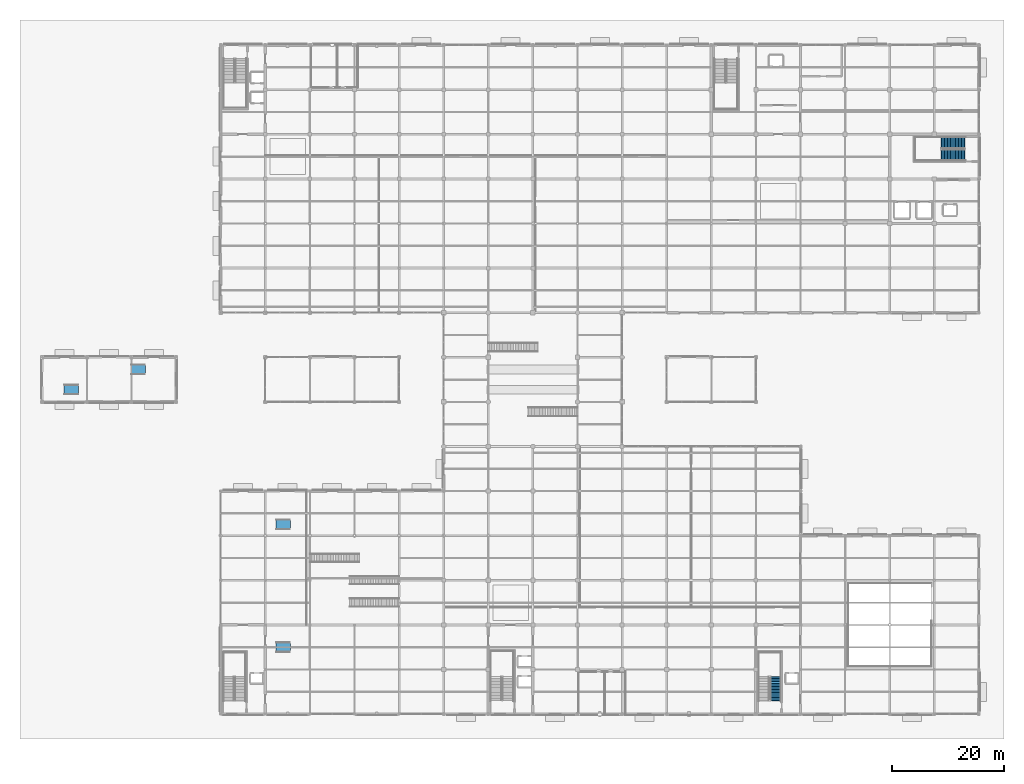
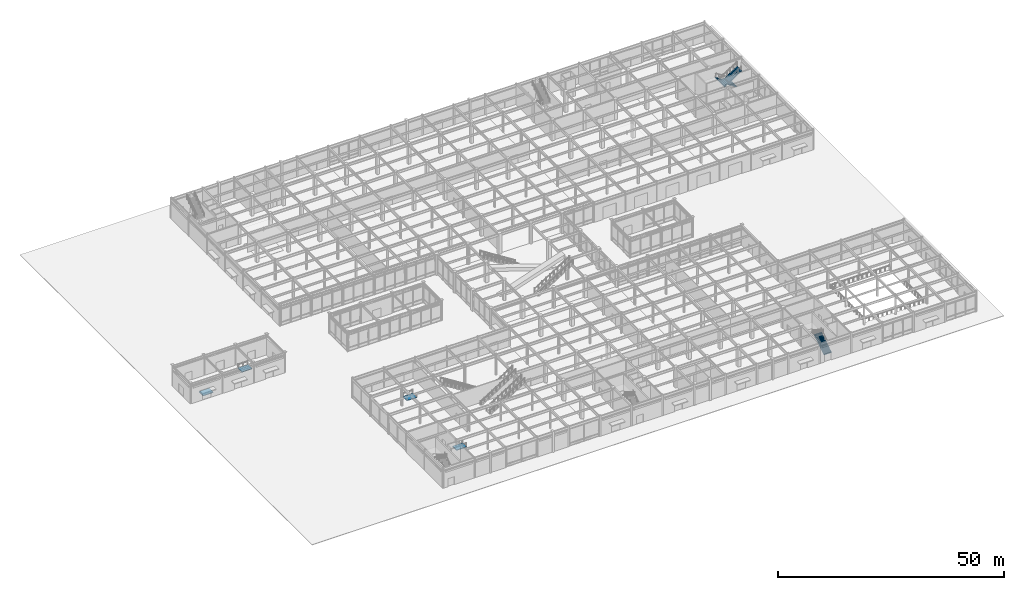
# One storey, part 110 of 128: 4 ramp flights, 3 stair flights, 6 elements without a shape of their own.
"""IFC4 building model written with IfcOpenShell, lengths in metres."""

from ifc_helpers import new_model, si_unit, direction, frame, origin, place, context, subcontext, project, spatial, polyline, outline, extrude, material, layer, layer_set, type_object, element, aggregate, save


model = new_model("IFC4")

# Units and contexts
model_context = context("Model", 3, precision=1e-05, world=origin(), true_north=direction((0.0, 1.0)))
body_context = subcontext(model_context, "Body", "Model", "MODEL_VIEW")
ifc_project = project(units=[si_unit("LENGTHUNIT", "METRE"), si_unit("AREAUNIT", "SQUARE_METRE"), si_unit("VOLUMEUNIT", "CUBIC_METRE"), si_unit("PLANEANGLEUNIT", "RADIAN"), si_unit("MASSUNIT", "GRAM", prefix="KILO")], contexts=[model_context])

# Site, building, storey
site_placement = place(None, origin())
site = spatial("IfcSite", under=ifc_project, at=site_placement, CompositionType="ELEMENT")
building_placement = place(site_placement, origin())
building = spatial("IfcBuilding", under=site, at=building_placement, Name="Solmirada Galleria", CompositionType="ELEMENT")
storey_placement = place(building_placement, origin())
storey = spatial("IfcBuildingStorey", under=building, at=storey_placement, Name="L00", CompositionType="ELEMENT", Elevation=0.0)

# Stair, stair flight
ifc_material = material(Name="Concrete C35/45", Category="concrete")
stair_type_1 = type_object("IfcStairType", Name="STR-DOG-195-H56", PredefinedType="HALF_TURN_STAIR", material=ifc_material)
stair_1_placement = place(storey_placement, origin())
stair_1 = element("IfcStair", 1, at=stair_1_placement, inside=storey, type_object=stair_type_1, Name="L00 Southeast Podium Core Exit Stair ST6", PredefinedType="HALF_TURN_STAIR")
stair_flight_type_1 = type_object("IfcStairFlightType", Name="SFL-DOG-195-H56", PredefinedType="STRAIGHT", material=ifc_material)
stair_flight_1_placement = place(storey_placement, frame((139.52490234375, 2.449951171875, 0.0), z_axis=(0.0, 0.0, 1.0), x_axis=(0.0, 1.0, 0.0)))
stair_flight_1 = element("IfcStairFlight", 2, at=stair_flight_1_placement, type_object=stair_flight_type_1, Name="ST6 flight 1", NumberOfRisers=16, NumberOfTreads=15, PredefinedType="STRAIGHT", RiserHeight=0.175, TreadLength=0.28, context=body_context, shape_type="SweptSolid", body=[
    extrude(outline(polyline([(-0.080078125, 0.0), (0.0, 0.0), (0.0, 0.175048828125), (0.280029296875, 0.175048828125), (0.280029296875, 0.35009765625), (0.56005859375, 0.35009765625), (0.56005859375, 0.52490234375), (0.840087890625, 0.52490234375), (0.840087890625, 0.699951171875), (1.1201171875, 0.699951171875), (1.1201171875, 0.875), (1.39990234375, 0.875), (1.39990234375, 1.050048828125), (1.679931640625, 1.050048828125), (1.679931640625, 1.22509765625), (1.9599609375, 1.22509765625), (1.9599609375, 1.39990234375), (2.239990234375, 1.39990234375), (2.239990234375, 1.574951171875), (2.52001953125, 1.574951171875), (2.52001953125, 1.75), (2.800048828125, 1.75), (2.800048828125, 1.925048828125), (3.080078125, 1.925048828125), (3.080078125, 2.10009765625), (3.360107421875, 2.10009765625), (3.360107421875, 2.27490234375), (3.639892578125, 2.27490234375), (3.639892578125, 2.449951171875), (3.919921875, 2.449951171875), (3.919921875, 2.625), (4.199951171875, 2.625), (4.199951171875, 2.800048828125), (4.280029296875, 2.800048828125), (4.280029296875, 2.60009765625), (4.199951171875, 2.60009765625), (0.080078125, -0.179931640625), (-0.080078125, -0.179931640625), (-0.080078125, 0.0)])), frame((0.0, 0.97509765625, 0.0), z_axis=(0.0, -1.0, 0.0), x_axis=(1.0, 0.0, 0.0)), (0.0, 0.0, 1.0), 1.949951171875),
])
aggregate(stair_1, [stair_flight_1])

# Stair, stair flights
stair_type_2 = type_object("IfcStairType", Name="STR-DOG-205-H56", PredefinedType="HALF_TURN_STAIR", material=ifc_material)
stair_2_placement = place(storey_placement, origin())
stair_2 = element("IfcStair", 3, at=stair_2_placement, inside=storey, type_object=stair_type_2, Name="L00 East Avenue High-Rise and Freight Core Exit Stair ST4", PredefinedType="HALF_TURN_STAIR")
stair_flight_type_2 = type_object("IfcStairFlightType", Name="SFL-DOG-205-H56", PredefinedType="STRAIGHT", material=ifc_material)
stair_flight_2_placement = place(storey_placement, frame((173.449951171875, 102.47509765625, 0.0), z_axis=(0.0, 0.0, 1.0), x_axis=(-1.0, 0.0, 0.0)))
stair_flight_2 = element("IfcStairFlight", 4, at=stair_flight_2_placement, type_object=stair_flight_type_2, Name="ST4 flight 1", NumberOfRisers=16, NumberOfTreads=15, PredefinedType="STRAIGHT", RiserHeight=0.175, TreadLength=0.28, context=body_context, shape_type="SweptSolid", body=[
    extrude(outline(polyline([(-0.080078125, 0.0), (0.0, 0.0), (0.0, 0.175048828125), (0.280029296875, 0.175048828125), (0.280029296875, 0.35009765625), (0.56005859375, 0.35009765625), (0.56005859375, 0.52490234375), (0.840087890625, 0.52490234375), (0.840087890625, 0.699951171875), (1.1201171875, 0.699951171875), (1.1201171875, 0.875), (1.39990234375, 0.875), (1.39990234375, 1.050048828125), (1.679931640625, 1.050048828125), (1.679931640625, 1.22509765625), (1.9599609375, 1.22509765625), (1.9599609375, 1.39990234375), (2.239990234375, 1.39990234375), (2.239990234375, 1.574951171875), (2.52001953125, 1.574951171875), (2.52001953125, 1.75), (2.800048828125, 1.75), (2.800048828125, 1.925048828125), (3.080078125, 1.925048828125), (3.080078125, 2.10009765625), (3.360107421875, 2.10009765625), (3.360107421875, 2.27490234375), (3.639892578125, 2.27490234375), (3.639892578125, 2.449951171875), (3.919921875, 2.449951171875), (3.919921875, 2.625), (4.199951171875, 2.625), (4.199951171875, 2.800048828125), (4.280029296875, 2.800048828125), (4.280029296875, 2.60009765625), (4.199951171875, 2.60009765625), (0.080078125, -0.179931640625), (-0.080078125, -0.179931640625), (-0.080078125, 0.0)])), frame((0.0, 1.02490234375, 0.0), z_axis=(0.0, -1.0, 0.0), x_axis=(1.0, 0.0, 0.0)), (0.0, 0.0, 1.0), 2.050048828125),
])
stair_flight_3_placement = place(storey_placement, frame((169.25, 100.27490234375, 2.800048828125), z_axis=(0.0, 0.0, 1.0), x_axis=(1.0, 0.0, 0.0)))
stair_flight_3 = element("IfcStairFlight", 5, at=stair_flight_3_placement, type_object=stair_flight_type_2, Name="ST4 flight 2", NumberOfRisers=16, NumberOfTreads=15, PredefinedType="STRAIGHT", RiserHeight=0.175, TreadLength=0.28, context=body_context, shape_type="SweptSolid", body=[
    extrude(outline(polyline([(-0.080078125, 0.0), (0.0, 0.0), (0.0, 0.175048828125), (0.280029296875, 0.175048828125), (0.280029296875, 0.35009765625), (0.56005859375, 0.35009765625), (0.56005859375, 0.52490234375), (0.840087890625, 0.52490234375), (0.840087890625, 0.699951171875), (1.1201171875, 0.699951171875), (1.1201171875, 0.875), (1.39990234375, 0.875), (1.39990234375, 1.050048828125), (1.679931640625, 1.050048828125), (1.679931640625, 1.22509765625), (1.9599609375, 1.22509765625), (1.9599609375, 1.39990234375), (2.239990234375, 1.39990234375), (2.239990234375, 1.574951171875), (2.52001953125, 1.574951171875), (2.52001953125, 1.75), (2.800048828125, 1.75), (2.800048828125, 1.925048828125), (3.080078125, 1.925048828125), (3.080078125, 2.10009765625), (3.360107421875, 2.10009765625), (3.360107421875, 2.27490234375), (3.639892578125, 2.27490234375), (3.639892578125, 2.449951171875), (3.919921875, 2.449951171875), (3.919921875, 2.625), (4.199951171875, 2.625), (4.199951171875, 2.800048828125), (4.280029296875, 2.800048828125), (4.280029296875, 2.60009765625), (4.199951171875, 2.60009765625), (0.080078125, -0.179931640625), (-0.080078125, -0.179931640625), (-0.080078125, 0.0)])), frame((0.0, 1.02490234375, 0.0), z_axis=(0.0, -1.0, 0.0), x_axis=(1.0, 0.0, 0.0)), (0.0, 0.0, 1.0), 2.050048828125),
])
aggregate(stair_2, [stair_flight_2, stair_flight_3])

# Ramp, ramp flight
ramp_type = type_object("IfcRampType", Name="RMP-ACC-180", PredefinedType="STRAIGHT_RUN_RAMP", material=ifc_material)
ramp_1_placement = place(storey_placement, origin())
ramp_1 = element("IfcRamp", 6, at=ramp_1_placement, inside=storey, type_object=ramp_type, Name="Accessible gallery threshold ramp AR-W1", PredefinedType="STRAIGHT_RUN_RAMP")
ifc_layer = layer(ifc_material, 0.179931640625)
ifc_layer_set = layer_set([ifc_layer], Name="Concrete C35/45")
ramp_flight_type = type_object("IfcRampFlightType", Name="RFL-ACC-180", PredefinedType="STRAIGHT", material=ifc_layer_set)
ramp_flight_1_placement = place(storey_placement, frame((12.0, 58.199951171875, 0.0), z_axis=(0.0, 0.0, 1.0), x_axis=(1.0, 0.0, 0.0)))
ramp_flight_1 = element("IfcRampFlight", 7, at=ramp_flight_1_placement, type_object=ramp_flight_type, Name="Accessible gallery threshold ramp flight AR-W1", PredefinedType="STRAIGHT", context=body_context, shape_type="SweptSolid", body=[
    extrude(outline(polyline([(-0.10009765625, 0.0), (2.5, 0.02001953125), (2.5, -0.159912109375), (-0.10009765625, -0.179931640625), (-0.10009765625, 0.0)])), frame((0.0, 0.89990234375, 0.0), z_axis=(0.0, -1.0, 0.0), x_axis=(1.0, 0.0, 0.0)), (0.0, 0.0, 1.0), 1.800048828125),
])
aggregate(ramp_1, [ramp_flight_1])

ramp_2_placement = place(storey_placement, origin())
ramp_2 = element("IfcRamp", 8, at=ramp_2_placement, inside=storey, type_object=ramp_type, Name="Accessible gallery threshold ramp AR-W2", PredefinedType="STRAIGHT_RUN_RAMP")
ramp_flight_2_placement = place(storey_placement, frame((24.0, 61.800048828125, 0.0), z_axis=(0.0, 0.0, 1.0), x_axis=(1.0, 0.0, 0.0)))
ramp_flight_2 = element("IfcRampFlight", 9, at=ramp_flight_2_placement, type_object=ramp_flight_type, Name="Accessible gallery threshold ramp flight AR-W2", PredefinedType="STRAIGHT", context=body_context, shape_type="SweptSolid", body=[
    extrude(outline(polyline([(-0.10009765625, 0.0), (2.5, 0.02001953125), (2.5, -0.159912109375), (-0.10009765625, -0.179931640625), (-0.10009765625, 0.0)])), frame((0.0, 0.89990234375, 0.0), z_axis=(0.0, -1.0, 0.0), x_axis=(1.0, 0.0, 0.0)), (0.0, 0.0, 1.0), 1.800048828125),
])
aggregate(ramp_2, [ramp_flight_2])

ramp_3_placement = place(storey_placement, origin())
ramp_3 = element("IfcRamp", 10, at=ramp_3_placement, inside=storey, type_object=ramp_type, Name="Accessible gallery threshold ramp AR-SW1", PredefinedType="STRAIGHT_RUN_RAMP")
ramp_flight_3_placement = place(storey_placement, frame((50.0, 12.0, 0.0), z_axis=(0.0, 0.0, 1.0), x_axis=(1.0, 0.0, 0.0)))
ramp_flight_3 = element("IfcRampFlight", 11, at=ramp_flight_3_placement, type_object=ramp_flight_type, Name="Accessible gallery threshold ramp flight AR-SW1", PredefinedType="STRAIGHT", context=body_context, shape_type="SweptSolid", body=[
    extrude(outline(polyline([(-0.10009765625, 0.0), (2.5, 0.02001953125), (2.5, -0.159912109375), (-0.10009765625, -0.179931640625), (-0.10009765625, 0.0)])), frame((0.0, 0.89990234375, 0.0), z_axis=(0.0, -1.0, 0.0), x_axis=(1.0, 0.0, 0.0)), (0.0, 0.0, 1.0), 1.800048828125),
])
aggregate(ramp_3, [ramp_flight_3])

ramp_4_placement = place(storey_placement, origin())
ramp_4 = element("IfcRamp", 12, at=ramp_4_placement, inside=storey, type_object=ramp_type, Name="Accessible gallery threshold ramp AR-SW2", PredefinedType="STRAIGHT_RUN_RAMP")
ramp_flight_4_placement = place(storey_placement, frame((50.0, 34.0, 0.0), z_axis=(0.0, 0.0, 1.0), x_axis=(1.0, 0.0, 0.0)))
ramp_flight_4 = element("IfcRampFlight", 13, at=ramp_flight_4_placement, type_object=ramp_flight_type, Name="Accessible gallery threshold ramp flight AR-SW2", PredefinedType="STRAIGHT", context=body_context, shape_type="SweptSolid", body=[
    extrude(outline(polyline([(-0.10009765625, 0.0), (2.5, 0.02001953125), (2.5, -0.159912109375), (-0.10009765625, -0.179931640625), (-0.10009765625, 0.0)])), frame((0.0, 0.89990234375, 0.0), z_axis=(0.0, -1.0, 0.0), x_axis=(1.0, 0.0, 0.0)), (0.0, 0.0, 1.0), 1.800048828125),
])
aggregate(ramp_4, [ramp_flight_4])

save(model, "model.ifc")
